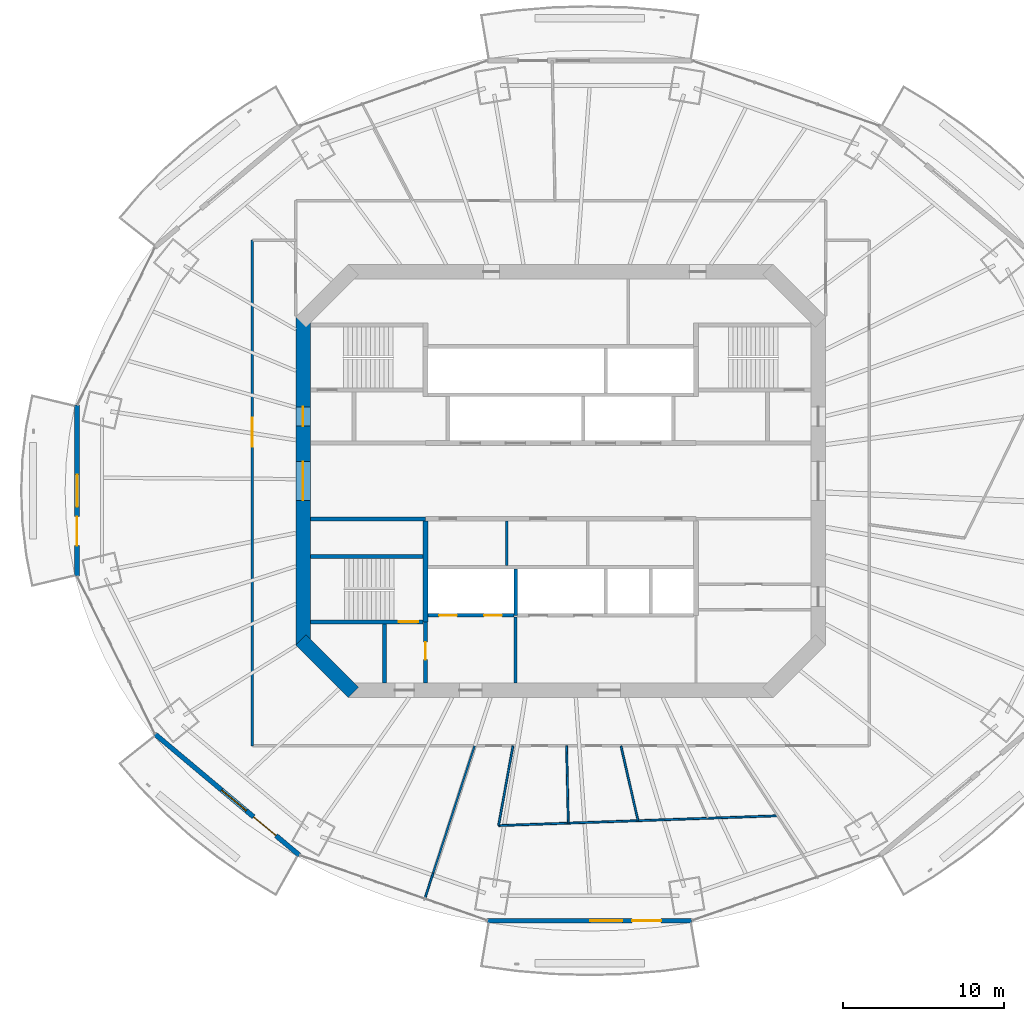
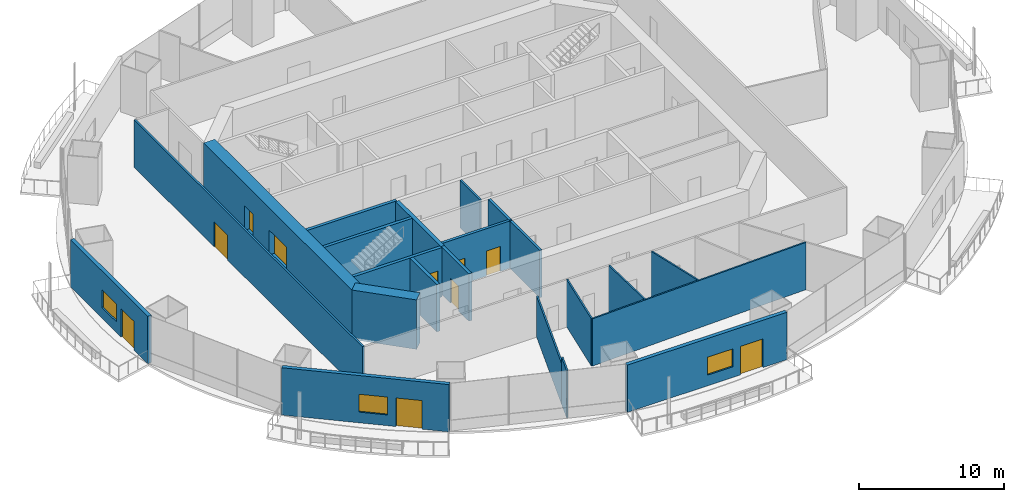
# One storey, part 11 of 20: 22 walls, 10 doors, 3 windows, 13 openings.
"""IFC4 building model written with IfcOpenShell, lengths in metres."""

from ifc_helpers import new_model, si_unit, direction, frame, frame_2d, origin, place, context, subcontext, project, spatial, rectangle, extrude, material, layer, layer_set, type_object, element, fill, save


model = new_model("IFC4")

# Units and contexts
model_context = context("Model", 3, precision=1e-05, world=origin(), true_north=direction((0.0, 1.0)))
body_context = subcontext(model_context, "Body", "Model", "MODEL_VIEW")
ifc_project = project(units=[si_unit("LENGTHUNIT", "METRE"), si_unit("AREAUNIT", "SQUARE_METRE"), si_unit("VOLUMEUNIT", "CUBIC_METRE"), si_unit("PLANEANGLEUNIT", "RADIAN"), si_unit("MASSUNIT", "GRAM", prefix="KILO")], contexts=[model_context])

# Site, building, storey
site_placement = place(None, origin())
site = spatial("IfcSite", under=ifc_project, at=site_placement, CompositionType="ELEMENT")
building_placement = place(site_placement, origin())
building = spatial("IfcBuilding", under=site, at=building_placement, Name="Marenthal Gate Tower", CompositionType="ELEMENT")
storey_placement = place(building_placement, frame((0.0, 0.0, 173.5)))
storey = spatial("IfcBuildingStorey", under=building, at=storey_placement, Name="L37", CompositionType="ELEMENT", Elevation=173.5)

# Wall, openings, doors
ifc_material_1 = material(Name="Concrete 60 MPa", Category="concrete")
ifc_layer_1 = layer(ifc_material_1, 0.89990234375)
ifc_layer_set_1 = layer_set([ifc_layer_1], Name="Core shear wall 900")
wall_type_1 = type_object("IfcWallType", Name="Core shear wall 900", PredefinedType="SHEAR", material=ifc_layer_set_1)
wall_1_placement = place(storey_placement, frame((-16.0, 10.186279296875, -0.179931640625), z_axis=(0.0, 0.0, 1.0), x_axis=(0.0, -1.0, 0.0)))
wall_1 = element("IfcWall", 1, at=wall_1_placement, inside=storey, type_object=wall_type_1, Name="Core wall 06", PredefinedType="SHEAR", context=body_context, shape_type="SweptSolid", body=[
    extrude(rectangle(XDim=20.37255859375, YDim=0.89990234375, at=frame_2d((10.186279296875, 0.0))), origin(), (0.0, 0.0, 1.0), 4.14990234375),
])
opening_1_placement = place(wall_1_placement, frame((8.986328125, 0.0, 0.179931640625)))
opening_1 = element("IfcOpeningElement", 2, at=opening_1_placement, cuts=wall_1, Name="Opening D003.01", PredefinedType="OPENING", context=body_context, shape_type="SweptSolid", body=[
    extrude(rectangle(XDim=2.39990234375, YDim=2.10009765625, at=frame_2d((1.199951171875, 1.050048828125))), frame((0.0, 0.4599609375, 0.0), z_axis=(0.0, -1.0, 0.0), x_axis=(1.0, 0.0, 0.0)), (0.0, 0.0, 1.0), 0.919921875),
])
opening_2_placement = place(wall_1_placement, frame((5.58642578125, 0.0, 0.179931640625)))
opening_2 = element("IfcOpeningElement", 3, at=opening_2_placement, cuts=wall_1, Name="Opening D001.04", PredefinedType="OPENING", context=body_context, shape_type="SweptSolid", body=[
    extrude(rectangle(XDim=1.199951171875, YDim=2.10009765625, at=frame_2d((0.60009765625, 1.050048828125))), frame((0.0, 0.4599609375, 0.0), z_axis=(0.0, -1.0, 0.0), x_axis=(1.0, 0.0, 0.0)), (0.0, 0.0, 1.0), 0.919921875),
])
ifc_material_2 = material(Name="Steel fire door", Category="steel")
door_type_1 = type_object("IfcDoorType", Name="Double fire door FD 45 2400 x 2100", OperationType="DOUBLE_DOOR_SINGLE_SWING", PredefinedType="DOOR", material=ifc_material_2)
door_1_placement = place(opening_1_placement, origin())
door_1 = element("IfcDoor", 4, at=door_1_placement, inside=storey, type_object=door_type_1, Name="Door D003.01", OperationType="DOUBLE_DOOR_SINGLE_SWING", OverallHeight=2.10009765625, OverallWidth=2.39990234375, PredefinedType="DOOR", context=body_context, shape_type="SweptSolid", body=[
    extrude(rectangle(XDim=2.39990234375, YDim=2.10009765625, at=frame_2d((1.199951171875, 1.050048828125))), frame((0.0, 0.02490234375, 0.0), z_axis=(0.0, -1.0, 0.0), x_axis=(1.0, 0.0, 0.0)), (0.0, 0.0, 1.0), 0.050048828125),
])
fill(opening_1, door_1)
ifc_material_3 = material(Name="Steel fire door", Category="steel")
door_type_2 = type_object("IfcDoorType", Name="Fire door FD 90 1200 x 2100", OperationType="NOTDEFINED", PredefinedType="DOOR", material=ifc_material_3)
door_2_placement = place(opening_2_placement, origin())
door_2 = element("IfcDoor", 5, at=door_2_placement, inside=storey, type_object=door_type_2, Name="Door D001.04", OperationType="SINGLE_SWING_RIGHT", OverallHeight=2.10009765625, OverallWidth=1.199951171875, PredefinedType="DOOR", context=body_context, shape_type="SweptSolid", body=[
    extrude(rectangle(XDim=1.199951171875, YDim=2.10009765625, at=frame_2d((0.60009765625, 1.050048828125))), frame((0.0, 0.02490234375, 0.0), z_axis=(0.0, -1.0, 0.0), x_axis=(1.0, 0.0, 0.0)), (0.0, 0.0, 1.0), 0.050048828125),
])
fill(opening_2, door_2)

# Walls
wall_2_placement = place(storey_placement, frame((-16.1318359375, -9.8681640625, -0.179931640625), z_axis=(0.0, 0.0, 1.0), x_axis=(0.707106781187, -0.707106781187, 0.0)))
element("IfcWall", 6, at=wall_2_placement, inside=storey, type_object=wall_type_1, Name="Core wall 07", PredefinedType="SHEAR", context=body_context, shape_type="SweptSolid", body=[
    extrude(rectangle(XDim=4.615478515625, YDim=0.89990234375, at=frame_2d((2.3076171875, 0.0))), origin(), (0.0, 0.0, 1.0), 4.14990234375),
])
ifc_material_4 = material(Name="Gypsum board on steel studs", Category="steel")
ifc_layer_2 = layer(ifc_material_4, 0.199951171875)
ifc_layer_set_2 = layer_set([ifc_layer_2], Name="Fire lobby wall 200")
wall_type_2 = type_object("IfcWallType", Name="Fire lobby wall 200", PredefinedType="PARTITIONING", material=ifc_layer_set_2)
wall_3_placement = place(storey_placement, frame((-2.800048828125, -12.550048828125, 0.0), z_axis=(0.0, 0.0, 1.0), x_axis=(0.0, 1.0, 0.0)))
element("IfcWall", 7, at=wall_3_placement, inside=storey, type_object=wall_type_2, Name="Fire wall 36", PredefinedType="PARTITIONING", context=body_context, shape_type="SweptSolid", body=[
    extrude(rectangle(XDim=4.090087890625, YDim=0.199951171875, at=frame_2d((2.044921875, 0.0))), origin(), (0.0, 0.0, 1.0), 3.969970703125),
])
ifc_material_5 = material(Name="Concrete 50 MPa", Category="concrete")
ifc_layer_3 = layer(ifc_material_5, 0.300048828125)
ifc_layer_set_3 = layer_set([ifc_layer_3], Name="Hoistway shear wall 300")
wall_type_3 = type_object("IfcWallType", Name="Hoistway shear wall 300", PredefinedType="SHEAR", material=ifc_layer_set_3)
wall_4_placement = place(storey_placement, frame((-8.39990234375, -8.75, -0.179931640625), z_axis=(0.0, 0.0, 1.0), x_axis=(0.0, 1.0, 0.0)))
element("IfcWall", 8, at=wall_4_placement, inside=storey, type_object=wall_type_3, Name="Hoistway wall 31", PredefinedType="SHEAR", context=body_context, shape_type="SweptSolid", body=[
    extrude(rectangle(XDim=6.25, YDim=0.300048828125, at=frame_2d((3.125, 0.0))), origin(), (0.0, 0.0, 1.0), 4.14990234375),
])

# Wall, openings, doors
ifc_material_6 = material(Name="Concrete 40 MPa", Category="concrete")
ifc_layer_4 = layer(ifc_material_6, 0.219970703125)
ifc_layer_set_4 = layer_set([ifc_layer_4], Name="Hoistway wall 220")
wall_type_4 = type_object("IfcWallType", Name="Hoistway wall 220", PredefinedType="STANDARD", material=ifc_layer_set_4)
wall_5_placement = place(storey_placement, frame((-8.25, -8.35009765625, 0.0), z_axis=(0.0, 0.0, 1.0), x_axis=(1.0, 0.0, 0.0)))
wall_5 = element("IfcWall", 9, at=wall_5_placement, inside=storey, type_object=wall_type_4, Name="Hoistway wall 10", PredefinedType="STANDARD", context=body_context, shape_type="SweptSolid", body=[
    extrude(rectangle(XDim=5.340087890625, YDim=0.219970703125, at=frame_2d((2.669921875, 0.0))), origin(), (0.0, 0.0, 1.0), 3.969970703125),
])
opening_3_placement = place(wall_5_placement, frame((0.699951171875, 0.0, 0.0)))
opening_3 = element("IfcOpeningElement", 10, at=opening_3_placement, cuts=wall_5, Name="Opening LD-LF1", PredefinedType="OPENING", context=body_context, shape_type="SweptSolid", body=[
    extrude(rectangle(XDim=1.10009765625, YDim=2.10009765625, at=frame_2d((0.550048828125, 1.050048828125))), frame((0.0, 0.1201171875, 0.0), z_axis=(0.0, -1.0, 0.0), x_axis=(1.0, 0.0, 0.0)), (0.0, 0.0, 1.0), 0.239990234375),
])
opening_4_placement = place(wall_5_placement, frame((3.5, 0.0, 0.0)))
opening_4 = element("IfcOpeningElement", 11, at=opening_4_placement, cuts=wall_5, Name="Opening LD-LF2", PredefinedType="OPENING", context=body_context, shape_type="SweptSolid", body=[
    extrude(rectangle(XDim=1.10009765625, YDim=2.10009765625, at=frame_2d((0.550048828125, 1.050048828125))), frame((0.0, 0.1201171875, 0.0), z_axis=(0.0, -1.0, 0.0), x_axis=(1.0, 0.0, 0.0)), (0.0, 0.0, 1.0), 0.239990234375),
])
ifc_material_7 = material(Name="Stainless steel sliding door", Category="steel")
door_type_3 = type_object("IfcDoorType", Name="Lift landing door FD 90 1100 x 2100", OperationType="DOUBLE_DOOR_SLIDING", PredefinedType="DOOR", material=ifc_material_7)
door_3_placement = place(opening_3_placement, origin())
door_3 = element("IfcDoor", 12, at=door_3_placement, inside=storey, type_object=door_type_3, Name="Lift landing door LF1", OperationType="DOUBLE_DOOR_SLIDING", OverallHeight=2.10009765625, OverallWidth=1.10009765625, PredefinedType="DOOR", context=body_context, shape_type="SweptSolid", body=[
    extrude(rectangle(XDim=1.10009765625, YDim=2.10009765625, at=frame_2d((0.550048828125, 1.050048828125))), frame((0.0, 0.02490234375, 0.0), z_axis=(0.0, -1.0, 0.0), x_axis=(1.0, 0.0, 0.0)), (0.0, 0.0, 1.0), 0.050048828125),
])
fill(opening_3, door_3)
door_4_placement = place(opening_4_placement, origin())
door_4 = element("IfcDoor", 13, at=door_4_placement, inside=storey, type_object=door_type_3, Name="Lift landing door LF2", OperationType="DOUBLE_DOOR_SLIDING", OverallHeight=2.10009765625, OverallWidth=1.10009765625, PredefinedType="DOOR", context=body_context, shape_type="SweptSolid", body=[
    extrude(rectangle(XDim=1.10009765625, YDim=2.10009765625, at=frame_2d((0.550048828125, 1.050048828125))), frame((0.0, 0.02490234375, 0.0), z_axis=(0.0, -1.0, 0.0), x_axis=(1.0, 0.0, 0.0)), (0.0, 0.0, 1.0), 0.050048828125),
])
fill(opening_4, door_4)

# Walls
wall_6_placement = place(storey_placement, frame((-2.800048828125, -8.35009765625, 0.0), z_axis=(0.0, 0.0, 1.0), x_axis=(0.0, 1.0, 0.0)))
element("IfcWall", 14, at=wall_6_placement, inside=storey, type_object=wall_type_4, Name="Hoistway wall 37", PredefinedType="STANDARD", context=body_context, shape_type="SweptSolid", body=[
    extrude(rectangle(XDim=2.89013671875, YDim=0.219970703125, at=frame_2d((1.445068359375, 0.0))), origin(), (0.0, 0.0, 1.0), 3.969970703125),
])
ifc_material_8 = material(Name="Gypsum board on steel studs", Category="steel")
ifc_layer_5 = layer(ifc_material_8, 0.1201171875)
ifc_layer_set_5 = layer_set([ifc_layer_5], Name="Partition 120")
wall_type_5 = type_object("IfcWallType", Name="Partition 120", PredefinedType="PARTITIONING", material=ifc_layer_set_5)
wall_7_placement = place(storey_placement, frame((-5.352294921875, -16.449951171875, 0.0), z_axis=(0.0, 0.0, 1.0), x_axis=(-0.309412606948, -0.950927882997, 0.0)))
element("IfcWall", 15, at=wall_7_placement, inside=storey, type_object=wall_type_5, Name="Partition wall 55", PredefinedType="PARTITIONING", context=body_context, shape_type="SweptSolid", body=[
    extrude(rectangle(XDim=8.3173828125, YDim=0.1201171875, at=frame_2d((4.15869140625, 0.0))), origin(), (0.0, 0.0, 1.0), 3.43408203125),
])
wall_8_placement = place(storey_placement, frame((-7.92578125, -24.359130859375, 0.0), z_axis=(0.0, 0.0, 1.0), x_axis=(-0.30927811653, -0.950971632929, 0.0)))
element("IfcWall", 16, at=wall_8_placement, inside=storey, type_object=wall_type_5, Name="Partition wall 71", PredefinedType="PARTITIONING", context=body_context, shape_type="SweptSolid", body=[
    extrude(rectangle(XDim=1.667236328125, YDim=0.1201171875, at=frame_2d((0.83349609375, 0.0))), origin(), (0.0, 0.0, 1.0), 3.969970703125),
])
wall_9_placement = place(storey_placement, frame((-3.859619140625, -21.3984375, 0.0), z_axis=(0.0, 0.0, 1.0), x_axis=(0.999384014625, 0.035094035277, 0.0)))
element("IfcWall", 17, at=wall_9_placement, inside=storey, type_object=wall_type_5, Name="Partition wall 56", PredefinedType="PARTITIONING", context=body_context, shape_type="SweptSolid", body=[
    extrude(rectangle(XDim=17.329345703125, YDim=0.1201171875, at=frame_2d((8.66455078125, 0.0))), origin(), (0.0, 0.0, 1.0), 3.969970703125),
])
wall_10_placement = place(storey_placement, frame((-3.859619140625, -21.3984375, 0.0), z_axis=(0.0, 0.0, 1.0), x_axis=(0.177509467823, 0.98411909281, 0.0)))
element("IfcWall", 18, at=wall_10_placement, inside=storey, type_object=wall_type_5, Name="Partition wall 57", PredefinedType="PARTITIONING", context=body_context, shape_type="SweptSolid", body=[
    extrude(rectangle(XDim=5.0283203125, YDim=0.1201171875, at=frame_2d((2.51416015625, 0.0))), origin(), (0.0, 0.0, 1.0), 3.969970703125),
])
wall_11_placement = place(storey_placement, frame((0.469970703125, -21.24658203125, 0.0), z_axis=(0.0, 0.0, 1.0), x_axis=(-0.022084498944, 0.999756107711, 0.0)))
element("IfcWall", 19, at=wall_11_placement, inside=storey, type_object=wall_type_5, Name="Partition wall 59", PredefinedType="PARTITIONING", context=body_context, shape_type="SweptSolid", body=[
    extrude(rectangle(XDim=4.7978515625, YDim=0.1201171875, at=frame_2d((2.39892578125, 0.0))), origin(), (0.0, 0.0, 1.0), 3.969970703125),
])
wall_12_placement = place(storey_placement, frame((4.7998046875, -21.094482421875, 0.0), z_axis=(0.0, 0.0, 1.0), x_axis=(-0.221882505737, 0.975073409364, 0.0)))
element("IfcWall", 20, at=wall_12_placement, inside=storey, type_object=wall_type_5, Name="Partition wall 60", PredefinedType="PARTITIONING", context=body_context, shape_type="SweptSolid", body=[
    extrude(rectangle(XDim=4.76318359375, YDim=0.1201171875, at=frame_2d((2.381591796875, 0.0))), origin(), (0.0, 0.0, 1.0), 3.969970703125),
])
ifc_material_9 = material(Name="Gypsum board on steel studs", Category="steel")
ifc_layer_6 = layer(ifc_material_9, 0.14990234375)
ifc_layer_set_6 = layer_set([ifc_layer_6], Name="Partition 150")
wall_type_6 = type_object("IfcWallType", Name="Partition 150", PredefinedType="PARTITIONING", material=ifc_layer_set_6)
wall_13_placement = place(storey_placement, frame((-3.360107421875, -5.239990234375, 0.0), z_axis=(0.0, 0.0, 1.0), x_axis=(0.0, 1.0, 0.0)))
element("IfcWall", 21, at=wall_13_placement, inside=storey, type_object=wall_type_6, Name="Partition wall 35", PredefinedType="PARTITIONING", context=body_context, shape_type="SweptSolid", body=[
    extrude(rectangle(XDim=2.739990234375, YDim=0.14990234375, at=frame_2d((1.3701171875, 0.0))), origin(), (0.0, 0.0, 1.0), 3.969970703125),
])

# Wall, opening, door
wall_14_placement = place(storey_placement, frame((-19.14990234375, -16.449951171875, 0.0), z_axis=(0.0, 0.0, 1.0), x_axis=(0.0, 1.0, 0.0)))
wall_14 = element("IfcWall", 22, at=wall_14_placement, inside=storey, type_object=wall_type_6, Name="Partition wall 50", PredefinedType="PARTITIONING", context=body_context, shape_type="SweptSolid", body=[
    extrude(rectangle(XDim=31.40478515625, YDim=0.14990234375, at=frame_2d((15.702392578125, 0.0))), origin(), (0.0, 0.0, 1.0), 3.969970703125),
])
opening_5_placement = place(wall_14_placement, frame((18.58203125, 0.0, 0.0)))
opening_5 = element("IfcOpeningElement", 23, at=opening_5_placement, cuts=wall_14, Name="Opening D014.02", PredefinedType="OPENING", context=body_context, shape_type="SweptSolid", body=[
    extrude(rectangle(XDim=1.800048828125, YDim=2.10009765625, at=frame_2d((0.89990234375, 1.050048828125))), frame((0.0, 0.0849609375, 0.0), z_axis=(0.0, -1.0, 0.0), x_axis=(1.0, 0.0, 0.0)), (0.0, 0.0, 1.0), 0.169921875),
])
ifc_material_10 = material(Name="Timber door", Category="wood")
door_type_4 = type_object("IfcDoorType", Name="Double door 1800 x 2100", OperationType="DOUBLE_DOOR_SINGLE_SWING", PredefinedType="DOOR", material=ifc_material_10)
door_5_placement = place(opening_5_placement, origin())
door_5 = element("IfcDoor", 24, at=door_5_placement, inside=storey, type_object=door_type_4, Name="Door D014.02", OperationType="DOUBLE_DOOR_SINGLE_SWING", OverallHeight=2.10009765625, OverallWidth=1.800048828125, PredefinedType="DOOR", context=body_context, shape_type="SweptSolid", body=[
    extrude(rectangle(XDim=1.800048828125, YDim=2.10009765625, at=frame_2d((0.89990234375, 1.050048828125))), frame((0.0, 0.02490234375, 0.0), z_axis=(0.0, -1.0, 0.0), x_axis=(1.0, 0.0, 0.0)), (0.0, 0.0, 1.0), 0.050048828125),
])
fill(opening_5, door_5)

# Walls
ifc_material_11 = material(Name="Concrete 40 MPa", Category="concrete")
ifc_layer_7 = layer(ifc_material_11, 0.25)
ifc_layer_set_7 = layer_set([ifc_layer_7], Name="Stair enclosure wall 250")
wall_type_7 = type_object("IfcWallType", Name="Stair enclosure wall 250", PredefinedType="STANDARD", material=ifc_layer_set_7)
wall_15_placement = place(storey_placement, frame((-15.550048828125, -2.35009765625, 0.0), z_axis=(0.0, 0.0, 1.0), x_axis=(1.0, 0.0, 0.0)))
element("IfcWall", 25, at=wall_15_placement, inside=storey, type_object=wall_type_7, Name="Stair wall 16", PredefinedType="STANDARD", context=body_context, shape_type="SweptSolid", body=[
    extrude(rectangle(XDim=7.150146484375, YDim=0.25, at=frame_2d((3.5751953125, 0.0))), origin(), (0.0, 0.0, 1.0), 3.969970703125),
])
wall_16_placement = place(storey_placement, frame((-10.949951171875, -12.550048828125, 0.0), z_axis=(0.0, 0.0, 1.0), x_axis=(0.0, 1.0, 0.0)))
element("IfcWall", 26, at=wall_16_placement, inside=storey, type_object=wall_type_7, Name="Stair wall 29", PredefinedType="STANDARD", context=body_context, shape_type="SweptSolid", body=[
    extrude(rectangle(XDim=3.675048828125, YDim=0.25, at=frame_2d((1.83740234375, 0.0))), origin(), (0.0, 0.0, 1.0), 3.969970703125),
])

# Wall, opening, door
wall_17_placement = place(storey_placement, frame((-8.39990234375, -12.550048828125, 0.0), z_axis=(0.0, 0.0, 1.0), x_axis=(0.0, 1.0, 0.0)))
wall_17 = element("IfcWall", 27, at=wall_17_placement, inside=storey, type_object=wall_type_7, Name="Stair wall 30", PredefinedType="STANDARD", context=body_context, shape_type="SweptSolid", body=[
    extrude(rectangle(XDim=3.800048828125, YDim=0.25, at=frame_2d((1.89990234375, 0.0))), origin(), (0.0, 0.0, 1.0), 3.969970703125),
])
opening_6_placement = place(wall_17_placement, frame((1.449951171875, 0.0, 0.0)))
opening_6 = element("IfcOpeningElement", 28, at=opening_6_placement, cuts=wall_17, Name="Opening D002.01", PredefinedType="OPENING", context=body_context, shape_type="SweptSolid", body=[
    extrude(rectangle(XDim=1.10009765625, YDim=2.10009765625, at=frame_2d((0.550048828125, 1.050048828125))), frame((0.0, 0.135009765625, 0.0), z_axis=(0.0, -1.0, 0.0), x_axis=(1.0, 0.0, 0.0)), (0.0, 0.0, 1.0), 0.27001953125),
])
ifc_material_12 = material(Name="Steel fire door", Category="steel")
door_type_5 = type_object("IfcDoorType", Name="Fire door FD 90 1100 x 2100", OperationType="NOTDEFINED", PredefinedType="DOOR", material=ifc_material_12)
door_6_placement = place(opening_6_placement, origin())
door_6 = element("IfcDoor", 29, at=door_6_placement, inside=storey, type_object=door_type_5, Name="Door D002.01", OperationType="SINGLE_SWING_RIGHT", OverallHeight=2.10009765625, OverallWidth=1.10009765625, PredefinedType="DOOR", context=body_context, shape_type="SweptSolid", body=[
    extrude(rectangle(XDim=1.10009765625, YDim=2.10009765625, at=frame_2d((0.550048828125, 1.050048828125))), frame((0.0, 0.02490234375, 0.0), z_axis=(0.0, -1.0, 0.0), x_axis=(1.0, 0.0, 0.0)), (0.0, 0.0, 1.0), 0.050048828125),
])
fill(opening_6, door_6)

ifc_material_13 = material(Name="Concrete 50 MPa", Category="concrete")
ifc_layer_8 = layer(ifc_material_13, 0.25)
ifc_layer_set_8 = layer_set([ifc_layer_8], Name="Stair shear wall 250")
wall_type_8 = type_object("IfcWallType", Name="Stair shear wall 250", PredefinedType="SHEAR", material=ifc_layer_set_8)
wall_18_placement = place(storey_placement, frame((-15.550048828125, -8.75, -0.179931640625), z_axis=(0.0, 0.0, 1.0), x_axis=(1.0, 0.0, 0.0)))
wall_18 = element("IfcWall", 30, at=wall_18_placement, inside=storey, type_object=wall_type_8, Name="Stair wall 09", PredefinedType="SHEAR", context=body_context, shape_type="SweptSolid", body=[
    extrude(rectangle(XDim=7.0, YDim=0.25, at=frame_2d((3.5, 0.0))), origin(), (0.0, 0.0, 1.0), 4.14990234375),
])
opening_7_placement = place(wall_18_placement, frame((5.5, 0.0, 0.179931640625)))
opening_7 = element("IfcOpeningElement", 31, at=opening_7_placement, cuts=wall_18, Name="Opening D001.03", PredefinedType="OPENING", context=body_context, shape_type="SweptSolid", body=[
    extrude(rectangle(XDim=1.199951171875, YDim=2.10009765625, at=frame_2d((0.60009765625, 1.050048828125))), frame((0.0, 0.135009765625, 0.0), z_axis=(0.0, -1.0, 0.0), x_axis=(1.0, 0.0, 0.0)), (0.0, 0.0, 1.0), 0.27001953125),
])
door_7_placement = place(opening_7_placement, origin())
door_7 = element("IfcDoor", 32, at=door_7_placement, inside=storey, type_object=door_type_2, Name="Door D001.03", OperationType="SINGLE_SWING_RIGHT", OverallHeight=2.10009765625, OverallWidth=1.199951171875, PredefinedType="DOOR", context=body_context, shape_type="SweptSolid", body=[
    extrude(rectangle(XDim=1.199951171875, YDim=2.10009765625, at=frame_2d((0.60009765625, 1.050048828125))), frame((0.0, 0.02490234375, 0.0), z_axis=(0.0, -1.0, 0.0), x_axis=(1.0, 0.0, 0.0)), (0.0, 0.0, 1.0), 0.050048828125),
])
fill(opening_7, door_7)

# Wall
wall_19_placement = place(storey_placement, frame((-15.550048828125, -4.699951171875, -0.179931640625), z_axis=(0.0, 0.0, 1.0), x_axis=(1.0, 0.0, 0.0)))
element("IfcWall", 33, at=wall_19_placement, inside=storey, type_object=wall_type_8, Name="Stair wall 15", PredefinedType="SHEAR", context=body_context, shape_type="SweptSolid", body=[
    extrude(rectangle(XDim=7.0, YDim=0.25, at=frame_2d((3.5, 0.0))), origin(), (0.0, 0.0, 1.0), 4.14990234375),
])

# Wall, openings, door, window
ifc_material_14 = material(Name="Terracotta cladding on insulated concrete-block backing", Category="masonry")
ifc_layer_9 = layer(ifc_material_14, 0.300048828125)
ifc_layer_set_9 = layer_set([ifc_layer_9], Name="Terracotta facade wall 300")
wall_type_9 = type_object("IfcWallType", Name="Terracotta facade wall 300", PredefinedType="SOLIDWALL", material=ifc_layer_set_9)
wall_20_placement = place(storey_placement, frame((-30.033203125, 4.71142578125, 0.0), z_axis=(0.0, 0.0, 1.0), x_axis=(0.0, -1.0, 0.0)))
wall_20 = element("IfcWall", 34, at=wall_20_placement, inside=storey, type_object=wall_type_9, Name="Terracotta facade wall L37 bay 8", PredefinedType="SOLIDWALL", context=body_context, shape_type="SweptSolid", body=[
    extrude(rectangle(XDim=10.623046875, YDim=0.300048828125, at=frame_2d((5.3115234375, 0.0))), origin(), (0.0, 0.0, 1.0), 3.969970703125),
])
opening_8_placement = place(wall_20_placement, frame((6.923095703125, 0.0, 0.0)))
opening_8 = element("IfcOpeningElement", 35, at=opening_8_placement, cuts=wall_20, Name="Opening BD-L37-08", PredefinedType="OPENING", context=body_context, shape_type="SweptSolid", body=[
    extrude(rectangle(XDim=1.800048828125, YDim=2.39990234375, at=frame_2d((0.89990234375, 1.199951171875))), frame((0.0, 0.16015625, 0.0), z_axis=(0.0, -1.0, 0.0), x_axis=(1.0, 0.0, 0.0)), (0.0, 0.0, 1.0), 0.320068359375),
])
opening_9_placement = place(wall_20_placement, frame((4.322998046875, 0.0, 0.89990234375)))
opening_9 = element("IfcOpeningElement", 36, at=opening_9_placement, cuts=wall_20, Name="Opening WN2-L37-08", PredefinedType="OPENING", context=body_context, shape_type="SweptSolid", body=[
    extrude(rectangle(XDim=2.0, YDim=1.5, at=frame_2d((1.0, 0.75))), frame((0.0, 0.16015625, 0.0), z_axis=(0.0, -1.0, 0.0), x_axis=(1.0, 0.0, 0.0)), (0.0, 0.0, 1.0), 0.320068359375),
])
ifc_material_15 = material(Name="Aluminium and glass", Category="aluminium")
door_type_6 = type_object("IfcDoorType", Name="Balcony door 1800x2400", OperationType="DOUBLE_DOOR_SINGLE_SWING", PredefinedType="DOOR", material=ifc_material_15)
door_8_placement = place(opening_8_placement, origin())
door_8 = element("IfcDoor", 37, at=door_8_placement, inside=storey, type_object=door_type_6, Name="Balcony door L37 bay 8", OperationType="SINGLE_SWING_LEFT", OverallHeight=2.39990234375, OverallWidth=1.800048828125, PredefinedType="DOOR", context=body_context, shape_type="SweptSolid", body=[
    extrude(rectangle(XDim=1.800048828125, YDim=2.39990234375, at=frame_2d((0.89990234375, 1.199951171875))), frame((0.0, 0.02490234375, 0.0), z_axis=(0.0, -1.0, 0.0), x_axis=(1.0, 0.0, 0.0)), (0.0, 0.0, 1.0), 0.050048828125),
])
fill(opening_8, door_8)
ifc_material_16 = material(Name="Aluminium and glass", Category="aluminium")
window_type = type_object("IfcWindowType", Name="Window 2000x1500", PartitioningType="DOUBLE_PANEL_VERTICAL", PredefinedType="WINDOW", material=ifc_material_16)
window_1_placement = place(opening_9_placement, origin())
window_1 = element("IfcWindow", 38, at=window_1_placement, inside=storey, type_object=window_type, Name="Window L37 bay 8", OverallHeight=1.5, OverallWidth=2.0, PartitioningType="SINGLE_PANEL", PredefinedType="WINDOW", context=body_context, shape_type="SweptSolid", body=[
    extrude(rectangle(XDim=2.0, YDim=1.5, at=frame_2d((1.0, 0.75))), frame((0.0, 0.030029296875, 0.0), z_axis=(0.0, -1.0, 0.0), x_axis=(1.0, 0.0, 0.0)), (0.0, 0.0, 1.0), 0.06005859375),
])
fill(opening_9, window_1)

wall_21_placement = place(storey_placement, frame((-25.18701171875, -15.72607421875, 0.0), z_axis=(0.0, 0.0, 1.0), x_axis=(0.766150735347, -0.642660914268, 0.0)))
wall_21 = element("IfcWall", 39, at=wall_21_placement, inside=storey, type_object=wall_type_9, Name="Terracotta facade wall L37 bay 10", PredefinedType="SOLIDWALL", context=body_context, shape_type="SweptSolid", body=[
    extrude(rectangle(XDim=11.68798828125, YDim=0.300048828125, at=frame_2d((5.843994140625, 0.0))), origin(), (0.0, 0.0, 1.0), 3.969970703125),
])
opening_10_placement = place(wall_21_placement, frame((7.98828125, 0.0, 0.0)))
opening_10 = element("IfcOpeningElement", 40, at=opening_10_placement, cuts=wall_21, Name="Opening BD-L37-10", PredefinedType="OPENING", context=body_context, shape_type="SweptSolid", body=[
    extrude(rectangle(XDim=1.800048828125, YDim=2.39990234375, at=frame_2d((0.89990234375, 1.199951171875))), frame((0.0, 0.16015625, 0.0), z_axis=(0.0, -1.0, 0.0), x_axis=(1.0, 0.0, 0.0)), (0.0, 0.0, 1.0), 0.320068359375),
])
opening_11_placement = place(wall_21_placement, frame((5.38818359375, 0.0, 0.89990234375)))
opening_11 = element("IfcOpeningElement", 41, at=opening_11_placement, cuts=wall_21, Name="Opening WN2-L37-10", PredefinedType="OPENING", context=body_context, shape_type="SweptSolid", body=[
    extrude(rectangle(XDim=2.0, YDim=1.5, at=frame_2d((1.0, 0.75))), frame((0.0, 0.16015625, 0.0), z_axis=(0.0, -1.0, 0.0), x_axis=(1.0, 0.0, 0.0)), (0.0, 0.0, 1.0), 0.320068359375),
])
door_9_placement = place(opening_10_placement, origin())
door_9 = element("IfcDoor", 42, at=door_9_placement, inside=storey, type_object=door_type_6, Name="Balcony door L37 bay 10", OperationType="SINGLE_SWING_LEFT", OverallHeight=2.39990234375, OverallWidth=1.800048828125, PredefinedType="DOOR", context=body_context, shape_type="SweptSolid", body=[
    extrude(rectangle(XDim=1.800048828125, YDim=2.39990234375, at=frame_2d((0.89990234375, 1.199951171875))), frame((0.0, 0.02490234375, 0.0), z_axis=(0.0, -1.0, 0.0), x_axis=(1.0, 0.0, 0.0)), (0.0, 0.0, 1.0), 0.050048828125),
])
fill(opening_10, door_9)
window_2_placement = place(opening_11_placement, origin())
window_2 = element("IfcWindow", 43, at=window_2_placement, inside=storey, type_object=window_type, Name="Window L37 bay 10", OverallHeight=1.5, OverallWidth=2.0, PartitioningType="SINGLE_PANEL", PredefinedType="WINDOW", context=body_context, shape_type="SweptSolid", body=[
    extrude(rectangle(XDim=2.0, YDim=1.5, at=frame_2d((1.0, 0.75))), frame((0.0, 0.030029296875, 0.0), z_axis=(0.0, -1.0, 0.0), x_axis=(1.0, 0.0, 0.0)), (0.0, 0.0, 1.0), 0.06005859375),
])
fill(opening_11, window_2)

wall_22_placement = place(storey_placement, frame((-4.531982421875, -27.302978515625, 0.0), z_axis=(0.0, 0.0, 1.0), x_axis=(1.0, 0.0, 0.0)))
wall_22 = element("IfcWall", 44, at=wall_22_placement, inside=storey, type_object=wall_type_9, Name="Terracotta facade wall L37 bay 12", PredefinedType="SOLIDWALL", context=body_context, shape_type="SweptSolid", body=[
    extrude(rectangle(XDim=12.6640625, YDim=0.300048828125, at=frame_2d((6.33203125, 0.0))), origin(), (0.0, 0.0, 1.0), 3.969970703125),
])
opening_12_placement = place(wall_22_placement, frame((8.964111328125, 0.0, 0.0)))
opening_12 = element("IfcOpeningElement", 45, at=opening_12_placement, cuts=wall_22, Name="Opening BD-L37-12", PredefinedType="OPENING", context=body_context, shape_type="SweptSolid", body=[
    extrude(rectangle(XDim=1.800048828125, YDim=2.39990234375, at=frame_2d((0.89990234375, 1.199951171875))), frame((0.0, 0.16015625, 0.0), z_axis=(0.0, -1.0, 0.0), x_axis=(1.0, 0.0, 0.0)), (0.0, 0.0, 1.0), 0.320068359375),
])
opening_13_placement = place(wall_22_placement, frame((6.364013671875, 0.0, 0.89990234375)))
opening_13 = element("IfcOpeningElement", 46, at=opening_13_placement, cuts=wall_22, Name="Opening WN2-L37-12", PredefinedType="OPENING", context=body_context, shape_type="SweptSolid", body=[
    extrude(rectangle(XDim=2.0, YDim=1.5, at=frame_2d((1.0, 0.75))), frame((0.0, 0.16015625, 0.0), z_axis=(0.0, -1.0, 0.0), x_axis=(1.0, 0.0, 0.0)), (0.0, 0.0, 1.0), 0.320068359375),
])
door_10_placement = place(opening_12_placement, origin())
door_10 = element("IfcDoor", 47, at=door_10_placement, inside=storey, type_object=door_type_6, Name="Balcony door L37 bay 12", OperationType="SINGLE_SWING_LEFT", OverallHeight=2.39990234375, OverallWidth=1.800048828125, PredefinedType="DOOR", context=body_context, shape_type="SweptSolid", body=[
    extrude(rectangle(XDim=1.800048828125, YDim=2.39990234375, at=frame_2d((0.89990234375, 1.199951171875))), frame((0.0, 0.02490234375, 0.0), z_axis=(0.0, -1.0, 0.0), x_axis=(1.0, 0.0, 0.0)), (0.0, 0.0, 1.0), 0.050048828125),
])
fill(opening_12, door_10)
window_3_placement = place(opening_13_placement, origin())
window_3 = element("IfcWindow", 48, at=window_3_placement, inside=storey, type_object=window_type, Name="Window L37 bay 12", OverallHeight=1.5, OverallWidth=2.0, PartitioningType="SINGLE_PANEL", PredefinedType="WINDOW", context=body_context, shape_type="SweptSolid", body=[
    extrude(rectangle(XDim=2.0, YDim=1.5, at=frame_2d((1.0, 0.75))), frame((0.0, 0.030029296875, 0.0), z_axis=(0.0, -1.0, 0.0), x_axis=(1.0, 0.0, 0.0)), (0.0, 0.0, 1.0), 0.06005859375),
])
fill(opening_13, window_3)

save(model, "model.ifc")
